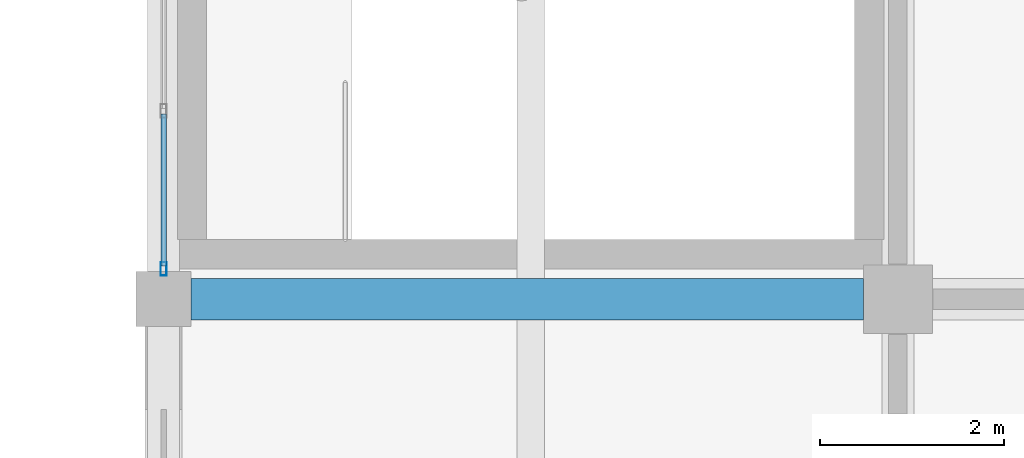
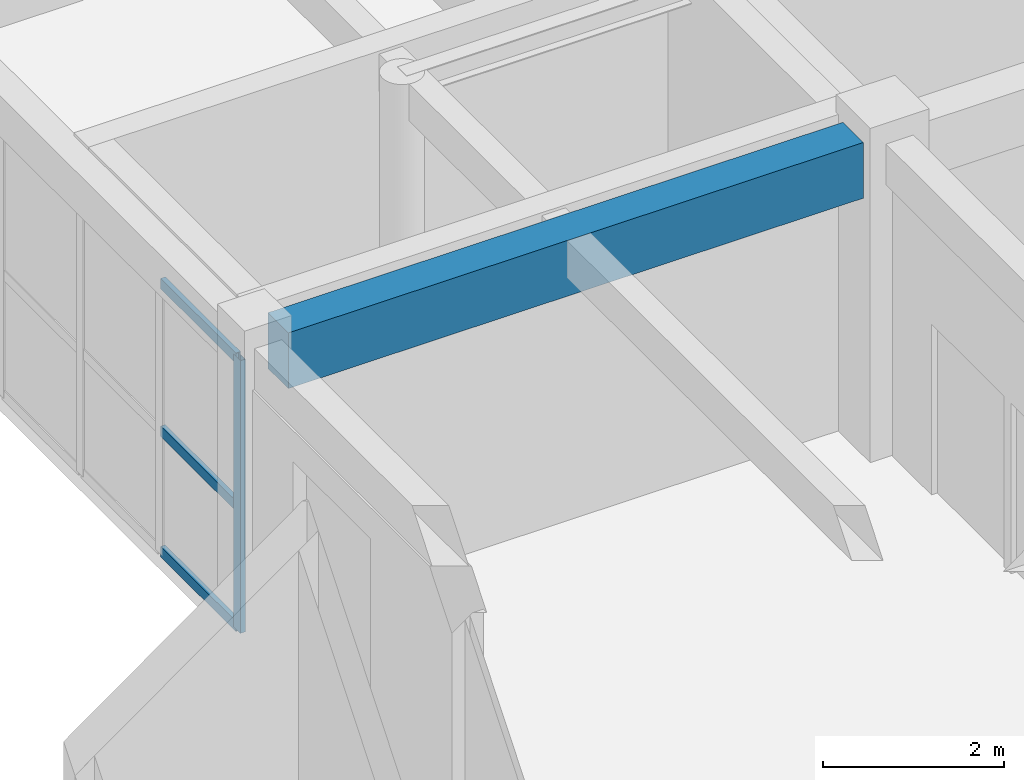
# One storey, part 6 of 79: 4 members, 1 beam, 1 element without a shape of its own.
"""IFC4 building model written with IfcOpenShell, lengths in metres."""

from ifc_helpers import new_model, si_unit, direction, frame, origin, origin_2d, place, context, subcontext, project, spatial, rectangle, hollow_rectangle, extrude, material, material_profile, profile_set, type_object, element, aggregate, save


model = new_model("IFC4")

# Units and contexts
model_context = context("Model", 3, precision=1e-05, world=origin(), true_north=direction((0.0, 1.0)))
body_context = subcontext(model_context, "Body", "Model", "MODEL_VIEW")
ifc_project = project(units=[si_unit("LENGTHUNIT", "METRE"), si_unit("AREAUNIT", "SQUARE_METRE"), si_unit("VOLUMEUNIT", "CUBIC_METRE"), si_unit("PLANEANGLEUNIT", "RADIAN"), si_unit("MASSUNIT", "GRAM", prefix="KILO")], contexts=[model_context])

# Site, building, storey
site_placement = place(None, origin())
site = spatial("IfcSite", under=ifc_project, at=site_placement, CompositionType="ELEMENT")
building_placement = place(site_placement, origin())
building = spatial("IfcBuilding", under=site, at=building_placement, Name="Zantavel Square City Hall", CompositionType="ELEMENT")
storey_placement = place(building_placement, frame((0.0, 0.0, 10.199951171875)))
storey = spatial("IfcBuildingStorey", under=building, at=storey_placement, Name="L03", CompositionType="ELEMENT", Elevation=10.199951171875)

# Curtain wall, members
ifc_material_1 = material(Name="Anodised aluminium 6063-T6", Category="aluminium")
curtain_wall_type = type_object("IfcCurtainWallType", Name="Curtain Wall CRT 7000x3670", PredefinedType="USERDEFINED", material=ifc_material_1)
curtain_wall_placement = place(storey_placement, origin())
curtain_wall = element("IfcCurtainWall", 1, at=curtain_wall_placement, inside=storey, type_object=curtain_wall_type, Name="L03 Glazed Curtain Wall CW-L03-101", ObjectType="GLAZED CURTAIN WALL", PredefinedType="USERDEFINED")
ifc_material_profile_1 = material_profile(ifc_material_1, hollow_rectangle(XDim=0.06494140625, YDim=0.14990234375, WallThickness=0.00390625, at=origin_2d()), Name="ALU 65x150x4")
ifc_profile_set_1 = profile_set([ifc_material_profile_1], Name="Anodised aluminium 6063-T6")
member_type_1 = type_object("IfcMemberType", Name="CW Mullion ALU 65x150x4", PredefinedType="MULLION", material=ifc_profile_set_1)
member_1_placement = place(storey_placement, frame((48.0, 38.330078125, 0.0), z_axis=(0.0, 0.0, 1.0), x_axis=(-1.0, 0.0, 0.0)))
member_1 = element("IfcMember", 2, at=member_1_placement, type_object=member_type_1, Name="CW-101 mullion 1", PredefinedType="MULLION", context=body_context, shape_type="SweptSolid", body=[
    extrude(hollow_rectangle(XDim=0.06494140625, YDim=0.14990234375, WallThickness=0.00390625, at=origin_2d()), origin(), (0.0, 0.0, 1.0), 3.670166015625),
])
ifc_material_profile_2 = material_profile(ifc_material_1, hollow_rectangle(XDim=0.06005859375, YDim=0.139892578125, WallThickness=0.00390625, at=origin_2d()), Name="ALU 60x140x4")
ifc_profile_set_2 = profile_set([ifc_material_profile_2], Name="Anodised aluminium 6063-T6")
member_type_2 = type_object("IfcMemberType", Name="CW Transom ALU 60x140x4", PredefinedType="USERDEFINED", material=ifc_profile_set_2)
member_2_placement = place(storey_placement, frame((48.0, 38.360107421875, 0.030029296875), z_axis=(0.0, 1.0, 0.0), x_axis=(-1.0, 0.0, 0.0)))
member_2 = element("IfcMember", 3, at=member_2_placement, type_object=member_type_2, Name="CW-101 transom 1.1", ObjectType="TRANSOM", PredefinedType="USERDEFINED", context=body_context, shape_type="SweptSolid", body=[
    extrude(hollow_rectangle(XDim=0.06005859375, YDim=0.139892578125, WallThickness=0.00390625, at=origin_2d()), origin(), (0.0, 0.0, 1.0), 1.659912109375),
])
member_3_placement = place(storey_placement, frame((48.0, 38.360107421875, 1.651123046875), z_axis=(0.0, 1.0, 0.0), x_axis=(-1.0, 0.0, 0.0)))
member_3 = element("IfcMember", 4, at=member_3_placement, type_object=member_type_2, Name="CW-101 transom 1.2", ObjectType="TRANSOM", PredefinedType="USERDEFINED", context=body_context, shape_type="SweptSolid", body=[
    extrude(hollow_rectangle(XDim=0.06005859375, YDim=0.139892578125, WallThickness=0.00390625, at=origin_2d()), origin(), (0.0, 0.0, 1.0), 1.659912109375),
])
member_4_placement = place(storey_placement, frame((48.0, 38.360107421875, 3.64013671875), z_axis=(0.0, 1.0, 0.0), x_axis=(-1.0, 0.0, 0.0)))
member_4 = element("IfcMember", 5, at=member_4_placement, type_object=member_type_2, Name="CW-101 transom 1.3", ObjectType="TRANSOM", PredefinedType="USERDEFINED", context=body_context, shape_type="SweptSolid", body=[
    extrude(hollow_rectangle(XDim=0.06005859375, YDim=0.139892578125, WallThickness=0.00390625, at=origin_2d()), origin(), (0.0, 0.0, 1.0), 1.659912109375),
])
aggregate(curtain_wall, [member_1, member_2, member_3, member_4])

# Beam
ifc_material_2 = material(Name="Concrete C35/45", Category="concrete")
ifc_material_profile_3 = material_profile(ifc_material_2, rectangle(XDim=0.449951171875, YDim=0.75, at=origin_2d()), Name="RC 450x750")
ifc_profile_set_3 = profile_set([ifc_material_profile_3], Name="Concrete C35/45")
beam_type = type_object("IfcBeamType", Name="Primary Girder RC 450x750 C35/45", PredefinedType="BEAM", material=ifc_profile_set_3)
beam_placement = place(storey_placement, frame((48.300048828125, 38.0, 3.844970703125), z_axis=(1.0, 0.0, 0.0), x_axis=(0.0, 1.0, 0.0)))
element("IfcBeam", 6, at=beam_placement, inside=storey, type_object=beam_type, Name="L03 Girder BMX-L03-0480-0380", PredefinedType="BEAM", context=body_context, shape_type="SweptSolid", body=[
    extrude(rectangle(XDim=0.449951171875, YDim=0.75, at=origin_2d()), origin(), (0.0, 0.0, 1.0), 7.324951171875),
])

save(model, "model.ifc")
